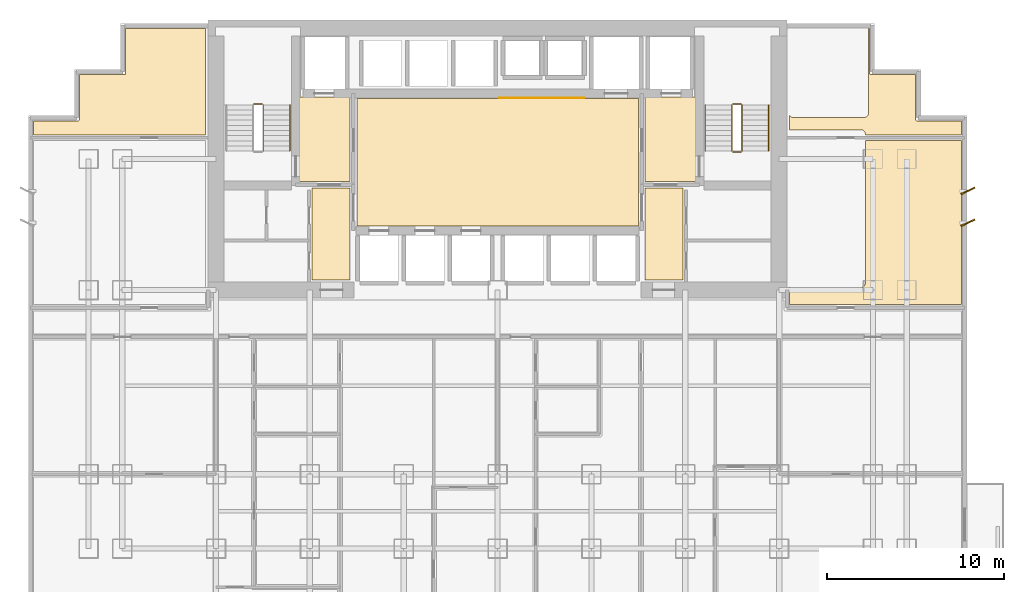
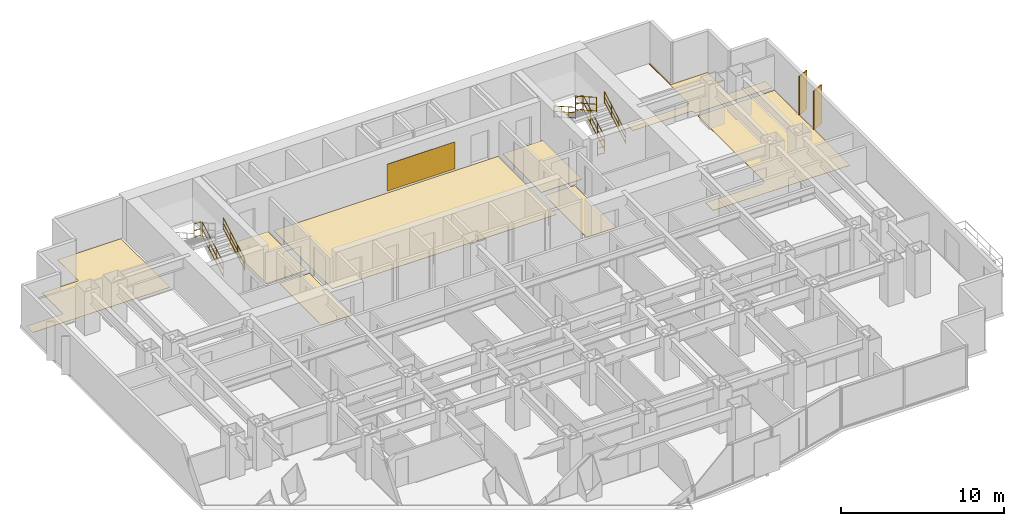
# One storey, part 10 of 10: 9 coverings, 9 railings, 2 shading devices.
"""IFC4 building model written with IfcOpenShell, lengths in metres."""

from ifc_helpers import new_model, si_unit, direction, frame, origin, origin_2d, place, context, subcontext, project, spatial, polyline, rectangle, circle, outline, extrude, source, transform, mapped, material, layer, layer_set, type_object, element, save


model = new_model("IFC4")

# Units and contexts
model_context = context("Model", 3, precision=1e-05, world=origin(), true_north=direction((0.0, 1.0)))
body_context = subcontext(model_context, "Body", "Model", "MODEL_VIEW")
ifc_project = project(units=[si_unit("LENGTHUNIT", "METRE"), si_unit("AREAUNIT", "SQUARE_METRE"), si_unit("VOLUMEUNIT", "CUBIC_METRE"), si_unit("PLANEANGLEUNIT", "RADIAN"), si_unit("MASSUNIT", "GRAM", prefix="KILO")], contexts=[model_context])

# Site, building, storey
site_placement = place(None, origin())
site = spatial("IfcSite", under=ifc_project, at=site_placement, CompositionType="ELEMENT")
building_placement = place(site_placement, origin())
building = spatial("IfcBuilding", under=site, at=building_placement, Name="Qianlan Lanfeng Residences", CompositionType="ELEMENT")
storey_placement = place(building_placement, frame((0.0, 0.0, 50.60009765625)))
storey = spatial("IfcBuildingStorey", under=building, at=storey_placement, Name="L13", CompositionType="ELEMENT", Elevation=50.60009765625)

# Coverings
ifc_material_1 = material(Name="Anodised Bronze Feature Wall Cladding")
ifc_layer_1 = layer(ifc_material_1, 0.02490234375)
ifc_layer_set_1 = layer_set([ifc_layer_1], Name="Anodised Bronze Feature Wall Cladding")
covering_type_1 = type_object("IfcCoveringType", Name="CLD-BRZ-25", PredefinedType="CLADDING", material=ifc_layer_set_1)
covering_1_placement = place(storey_placement, frame((0.0, 0.0, 0.14990234375)))
element("IfcCovering", 1, at=covering_1_placement, inside=storey, type_object=covering_type_1, Name="L13 Lift Lobby Bronze Feature Cladding", PredefinedType="CLADDING", context=body_context, shape_type="SweptSolid", body=[
    extrude(outline(polyline([(26.60009765625, 36.02490234375), (31.39990234375, 36.02490234375), (31.39990234375, 36.050048828125), (26.60009765625, 36.050048828125), (26.60009765625, 36.02490234375)])), origin(), (0.0, 0.0, 1.0), 2.02001953125),
])
ifc_material_2 = material(Name="Honed Taitung Granite Stone Flooring", Category="masonry")
ifc_layer_2 = layer(ifc_material_2, 0.030029296875)
ifc_layer_set_2 = layer_set([ifc_layer_2], Name="Honed Taitung Granite Stone Flooring")
covering_type_2 = type_object("IfcCoveringType", Name="FLR-STN-30", PredefinedType="FLOORING", material=ifc_layer_set_2)
covering_2_placement = place(storey_placement, origin())
element("IfcCovering", 2, at=covering_2_placement, inside=storey, type_object=covering_type_2, Name="L13 Firefighting Lift Lobby Floor Finish", PredefinedType="FLOORING", context=body_context, shape_type="SweptSolid", body=[
    extrude(outline(polyline([(15.2900390625, 31.320068359375), (18.179931640625, 31.320068359375), (18.179931640625, 36.110107421875), (15.2900390625, 36.110107421875), (15.2900390625, 31.320068359375)])), origin(), (0.0, 0.0, 1.0), 0.02978515625),
])
covering_3_placement = place(storey_placement, origin())
element("IfcCovering", 3, at=covering_3_placement, inside=storey, type_object=covering_type_2, Name="L13 Firefighting Lift Lobby Floor Finish", PredefinedType="FLOORING", context=body_context, shape_type="SweptSolid", body=[
    extrude(outline(polyline([(34.820068359375, 31.320068359375), (37.7099609375, 31.320068359375), (37.7099609375, 36.110107421875), (34.820068359375, 36.110107421875), (34.820068359375, 31.320068359375)])), origin(), (0.0, 0.0, 1.0), 0.02978515625),
])
covering_4_placement = place(storey_placement, origin())
element("IfcCovering", 4, at=covering_4_placement, inside=storey, type_object=covering_type_2, Name="L13 Lift Lobby Floor Finish", PredefinedType="FLOORING", context=body_context, shape_type="SweptSolid", body=[
    extrude(outline(polyline([(18.550048828125, 28.820068359375), (34.449951171875, 28.820068359375), (34.449951171875, 36.010009765625), (18.550048828125, 36.010009765625), (18.550048828125, 28.820068359375)])), origin(), (0.0, 0.0, 1.0), 0.02978515625),
])
covering_5_placement = place(storey_placement, origin())
element("IfcCovering", 5, at=covering_5_placement, inside=storey, type_object=covering_type_2, Name="L13 Lift Lobby Floor Finish", PredefinedType="FLOORING", context=body_context, shape_type="SweptSolid", body=[
    extrude(outline(polyline([(16.030029296875, 25.760009765625), (18.169921875, 25.760009765625), (18.169921875, 30.949951171875), (16.030029296875, 30.949951171875), (16.030029296875, 25.760009765625)])), origin(), (0.0, 0.0, 1.0), 0.02978515625),
])
covering_6_placement = place(storey_placement, origin())
element("IfcCovering", 6, at=covering_6_placement, inside=storey, type_object=covering_type_2, Name="L13 Lift Lobby Floor Finish", PredefinedType="FLOORING", context=body_context, shape_type="SweptSolid", body=[
    extrude(outline(polyline([(34.830078125, 25.760009765625), (36.969970703125, 25.760009765625), (36.969970703125, 30.949951171875), (34.830078125, 30.949951171875), (34.830078125, 25.760009765625)])), origin(), (0.0, 0.0, 1.0), 0.02978515625),
])
ifc_material_3 = material(Name="Engineered Smoked Oak Timber Flooring", Category="wood")
ifc_layer_3 = layer(ifc_material_3, 0.02197265625)
ifc_layer_set_3 = layer_set([ifc_layer_3], Name="Engineered Smoked Oak Timber Flooring")
covering_type_3 = type_object("IfcCoveringType", Name="FLR-TIM-22", PredefinedType="FLOORING", material=ifc_layer_set_3)
covering_7_placement = place(storey_placement, origin())
element("IfcCovering", 7, at=covering_7_placement, inside=storey, type_object=covering_type_3, Name="L13 Resident Lounge Floor Finish", PredefinedType="FLOORING", context=body_context, shape_type="SweptSolid", body=[
    extrude(outline(polyline([(0.2900390625, 33.949951171875), (10.0, 33.949951171875), (10.0, 39.9599609375), (5.489990234375, 39.9599609375), (5.489990234375, 37.429931640625), (5.489990234375, 37.423095703125), (5.489013671875, 37.416015625), (5.487060546875, 37.409912109375), (5.485107421875, 37.403076171875), (5.48193359375, 37.39697265625), (5.47802734375, 37.39111328125), (5.47412109375, 37.385986328125), (5.468994140625, 37.381103515625), (5.464111328125, 37.3759765625), (5.458984375, 37.3720703125), (5.452880859375, 37.367919921875), (5.447021484375, 37.364990234375), (5.43994140625, 37.363037109375), (5.43408203125, 37.361083984375), (5.427001953125, 37.360107421875), (5.419921875, 37.360107421875), (2.889892578125, 37.360107421875), (2.889892578125, 34.830078125), (2.889892578125, 34.822998046875), (2.888916015625, 34.81591796875), (2.886962890625, 34.81005859375), (2.885009765625, 34.802978515625), (2.882080078125, 34.797119140625), (2.8779296875, 34.791015625), (2.8740234375, 34.785888671875), (2.868896484375, 34.781005859375), (2.864013671875, 34.77587890625), (2.85888671875, 34.77197265625), (2.85302734375, 34.76806640625), (2.846923828125, 34.764892578125), (2.840087890625, 34.762939453125), (2.833984375, 34.760986328125), (2.826904296875, 34.760009765625), (2.820068359375, 34.760009765625), (0.2900390625, 34.760009765625), (0.2900390625, 33.949951171875)])), origin(), (0.0, 0.0, 1.0), 0.02197265625),
])
covering_8_placement = place(storey_placement, origin())
element("IfcCovering", 8, at=covering_8_placement, inside=storey, type_object=covering_type_3, Name="L13 Piano Salon Floor Finish", PredefinedType="FLOORING", context=body_context, shape_type="SweptSolid", body=[
    extrude(outline(polyline([(52.7099609375, 33.64990234375), (47.27001953125, 33.64990234375), (47.27001953125, 25.60009765625), (47.26904296875, 25.574951171875), (47.264892578125, 25.551025390625), (47.259033203125, 25.527099609375), (47.2509765625, 25.50390625), (47.239990234375, 25.48193359375), (47.22802734375, 25.4609375), (47.212890625, 25.44091796875), (47.197021484375, 25.423095703125), (47.178955078125, 25.406982421875), (47.158935546875, 25.39208984375), (47.137939453125, 25.3798828125), (47.115966796875, 25.368896484375), (47.093017578125, 25.361083984375), (47.069091796875, 25.35498046875), (47.044921875, 25.35107421875), (47.02001953125, 25.35009765625), (43.080078125, 25.35009765625), (43.054931640625, 25.35107421875), (43.031005859375, 25.35498046875), (43.007080078125, 25.361083984375), (43.0, 25.363037109375), (43.0, 24.3798828125), (52.7099609375, 24.3798828125), (52.7099609375, 33.64990234375)])), origin(), (0.0, 0.0, 1.0), 0.02197265625),
])
covering_9_placement = place(storey_placement, origin())
element("IfcCovering", 9, at=covering_9_placement, inside=storey, type_object=covering_type_3, Name="L13 Resident Lounge Floor Finish", PredefinedType="FLOORING", context=body_context, shape_type="SweptSolid", body=[
    extrude(outline(polyline([(43.0, 34.237060546875), (43.007080078125, 34.239013671875), (43.031005859375, 34.2451171875), (43.054931640625, 34.2490234375), (43.080078125, 34.25), (47.02001953125, 34.25), (47.044921875, 34.2490234375), (47.069091796875, 34.2451171875), (47.093017578125, 34.239013671875), (47.115966796875, 34.23095703125), (47.137939453125, 34.219970703125), (47.158935546875, 34.2080078125), (47.178955078125, 34.193115234375), (47.197021484375, 34.177001953125), (47.212890625, 34.158935546875), (47.22802734375, 34.138916015625), (47.239990234375, 34.117919921875), (47.2509765625, 34.095947265625), (47.259033203125, 34.072998046875), (47.264892578125, 34.049072265625), (47.26904296875, 34.02490234375), (47.27001953125, 34.0), (47.27001953125, 33.949951171875), (52.7099609375, 33.949951171875), (52.7099609375, 34.760009765625), (50.179931640625, 34.760009765625), (50.173095703125, 34.760009765625), (50.166015625, 34.760986328125), (50.159912109375, 34.762939453125), (50.153076171875, 34.764892578125), (50.14697265625, 34.76806640625), (50.14111328125, 34.77197265625), (50.135986328125, 34.77587890625), (50.131103515625, 34.781005859375), (50.1259765625, 34.785888671875), (50.1220703125, 34.791015625), (50.117919921875, 34.797119140625), (50.114990234375, 34.802978515625), (50.113037109375, 34.81005859375), (50.111083984375, 34.81591796875), (50.110107421875, 34.822998046875), (50.110107421875, 34.830078125), (50.110107421875, 37.360107421875), (47.580078125, 37.360107421875), (47.572998046875, 37.360107421875), (47.56591796875, 37.361083984375), (47.56005859375, 37.363037109375), (47.552978515625, 37.364990234375), (47.547119140625, 37.367919921875), (47.541015625, 37.3720703125), (47.535888671875, 37.3759765625), (47.531005859375, 37.381103515625), (47.52587890625, 37.385986328125), (47.52197265625, 37.39111328125), (47.51806640625, 37.39697265625), (47.514892578125, 37.403076171875), (47.512939453125, 37.409912109375), (47.510986328125, 37.416015625), (47.510009765625, 37.423095703125), (47.510009765625, 37.429931640625), (47.510009765625, 39.9599609375), (47.449951171875, 39.9599609375), (47.449951171875, 35.199951171875), (47.448974609375, 35.175048828125), (47.445068359375, 35.15087890625), (47.43896484375, 35.126953125), (47.430908203125, 35.10400390625), (47.419921875, 35.08203125), (47.407958984375, 35.06103515625), (47.39306640625, 35.041015625), (47.376953125, 35.02294921875), (47.35888671875, 35.007080078125), (47.339111328125, 34.991943359375), (47.318115234375, 34.97998046875), (47.2958984375, 34.968994140625), (47.27294921875, 34.9609375), (47.2490234375, 34.955078125), (47.22509765625, 34.950927734375), (47.199951171875, 34.949951171875), (43.199951171875, 34.949951171875), (43.175048828125, 34.950927734375), (43.15087890625, 34.955078125), (43.126953125, 34.9609375), (43.10400390625, 34.968994140625), (43.08203125, 34.97998046875), (43.06103515625, 34.991943359375), (43.041015625, 35.007080078125), (43.02294921875, 35.02294921875), (43.007080078125, 35.041015625), (43.0, 35.050048828125), (43.0, 34.237060546875)])), origin(), (0.0, 0.0, 1.0), 0.02197265625),
])

# Railings
ifc_material_4 = material(Name="Painted Galvanised Steel Guardrail", Category="steel")
railing_type_1 = type_object("IfcRailingType", Name="GR-ST-1120", PredefinedType="GUARDRAIL", material=ifc_material_4)
railing_1_placement = place(storey_placement, frame((13.27001953125, 33.050048828125, 0.164794921875)))
element("IfcRailing", 10, at=railing_1_placement, inside=storey, type_object=railing_type_1, Name="L13 ST-1 stair guard 1", PredefinedType="GUARDRAIL", context=body_context, shape_type="SweptSolid", body=[
    extrude(circle(Radius=0.02392578125, at=origin_2d()), frame((0.0, 0.0, 0.083984375), z_axis=(0.0, 0.869137319866, 0.494570843475), x_axis=(-1.0, 0.0, 0.0)), (0.0, 0.0, 1.0), 3.0029296875),
    extrude(circle(Radius=0.02392578125, at=origin_2d()), frame((0.0, 0.0, 0.58251953125), z_axis=(0.0, 0.869137319866, 0.494570843475), x_axis=(-1.0, 0.0, 0.0)), (0.0, 0.0, 1.0), 3.0029296875),
    extrude(circle(Radius=0.02392578125, at=origin_2d()), frame((0.0, 0.0, 1.09619140625), z_axis=(0.0, 0.869137319866, 0.494570843475), x_axis=(-1.0, 0.0, 0.0)), (0.0, 0.0, 1.0), 3.0029296875),
    extrude(circle(Radius=0.02099609375, at=origin_2d()), origin(), (0.0, 0.0, 1.0), 1.072021484375),
    extrude(circle(Radius=0.02099609375, at=origin_2d()), frame((0.0, 0.869873046875, 0.4951171875)), (0.0, 0.0, 1.0), 1.072021484375),
    extrude(circle(Radius=0.02099609375, at=origin_2d()), frame((0.0, 1.739990234375, 0.989990234375)), (0.0, 0.0, 1.0), 1.072021484375),
    extrude(circle(Radius=0.02099609375, at=origin_2d()), frame((0.0, 2.60986328125, 1.485107421875)), (0.0, 0.0, 1.0), 1.072021484375),
])
railing_2_placement = place(storey_placement, frame((13.219970703125, 35.7099609375, 1.64990234375)))
element("IfcRailing", 11, at=railing_2_placement, inside=storey, type_object=railing_type_1, Name="L13 ST-1 stair guard 2", PredefinedType="GUARDRAIL", context=body_context, shape_type="SweptSolid", body=[
    extrude(circle(Radius=0.02392578125, at=origin_2d()), frame((0.0, 0.0, 0.083984375), z_axis=(-1.0, 0.0, 0.0), x_axis=(0.0, -1.0, 0.0)), (0.0, 0.0, 1.0), 0.47998046875),
    extrude(circle(Radius=0.02392578125, at=origin_2d()), frame((0.0, 0.0, 0.58251953125), z_axis=(-1.0, 0.0, 0.0), x_axis=(0.0, -1.0, 0.0)), (0.0, 0.0, 1.0), 0.47998046875),
    extrude(circle(Radius=0.02392578125, at=origin_2d()), frame((0.0, 0.0, 1.09619140625), z_axis=(-1.0, 0.0, 0.0), x_axis=(0.0, -1.0, 0.0)), (0.0, 0.0, 1.0), 0.47998046875),
    extrude(circle(Radius=0.02099609375, at=origin_2d()), origin(), (0.0, 0.0, 1.0), 1.072021484375),
    extrude(circle(Radius=0.02099609375, at=origin_2d()), frame((-0.47998046875, 0.0, 0.0)), (0.0, 0.0, 1.0), 1.072021484375),
])
railing_3_placement = place(storey_placement, frame((40.31005859375, 33.050048828125, 0.164794921875)))
element("IfcRailing", 12, at=railing_3_placement, inside=storey, type_object=railing_type_1, Name="L13 ST-2 stair guard 1", PredefinedType="GUARDRAIL", context=body_context, shape_type="SweptSolid", body=[
    extrude(circle(Radius=0.02392578125, at=origin_2d()), frame((0.0, 0.0, 0.083984375), z_axis=(0.0, 0.869137319866, 0.494570843475), x_axis=(-1.0, 0.0, 0.0)), (0.0, 0.0, 1.0), 3.0029296875),
    extrude(circle(Radius=0.02392578125, at=origin_2d()), frame((0.0, 0.0, 0.58251953125), z_axis=(0.0, 0.869137319866, 0.494570843475), x_axis=(-1.0, 0.0, 0.0)), (0.0, 0.0, 1.0), 3.0029296875),
    extrude(circle(Radius=0.02392578125, at=origin_2d()), frame((0.0, 0.0, 1.09619140625), z_axis=(0.0, 0.869137319866, 0.494570843475), x_axis=(-1.0, 0.0, 0.0)), (0.0, 0.0, 1.0), 3.0029296875),
    extrude(circle(Radius=0.02099609375, at=origin_2d()), origin(), (0.0, 0.0, 1.0), 1.072021484375),
    extrude(circle(Radius=0.02099609375, at=origin_2d()), frame((0.0, 0.869873046875, 0.4951171875)), (0.0, 0.0, 1.0), 1.072021484375),
    extrude(circle(Radius=0.02099609375, at=origin_2d()), frame((0.0, 1.739990234375, 0.989990234375)), (0.0, 0.0, 1.0), 1.072021484375),
    extrude(circle(Radius=0.02099609375, at=origin_2d()), frame((0.0, 2.60986328125, 1.485107421875)), (0.0, 0.0, 1.0), 1.072021484375),
])
railing_4_placement = place(storey_placement, frame((40.260009765625, 35.7099609375, 1.64990234375)))
element("IfcRailing", 13, at=railing_4_placement, inside=storey, type_object=railing_type_1, Name="L13 ST-2 stair guard 2", PredefinedType="GUARDRAIL", context=body_context, shape_type="SweptSolid", body=[
    extrude(circle(Radius=0.02392578125, at=origin_2d()), frame((0.0, 0.0, 0.083984375), z_axis=(-1.0, 0.0, 0.0), x_axis=(0.0, -1.0, 0.0)), (0.0, 0.0, 1.0), 0.47998046875),
    extrude(circle(Radius=0.02392578125, at=origin_2d()), frame((0.0, 0.0, 0.58251953125), z_axis=(-1.0, 0.0, 0.0), x_axis=(0.0, -1.0, 0.0)), (0.0, 0.0, 1.0), 0.47998046875),
    extrude(circle(Radius=0.02392578125, at=origin_2d()), frame((0.0, 0.0, 1.09619140625), z_axis=(-1.0, 0.0, 0.0), x_axis=(0.0, -1.0, 0.0)), (0.0, 0.0, 1.0), 0.47998046875),
    extrude(circle(Radius=0.02099609375, at=origin_2d()), origin(), (0.0, 0.0, 1.0), 1.072021484375),
    extrude(circle(Radius=0.02099609375, at=origin_2d()), frame((-0.47998046875, 0.0, 0.0)), (0.0, 0.0, 1.0), 1.072021484375),
])
railing_5_placement = place(storey_placement, frame((39.72998046875, 35.659912109375, 1.81494140625)))
element("IfcRailing", 14, at=railing_5_placement, inside=storey, type_object=railing_type_1, Name="L13 ST-2 stair guard 3", PredefinedType="GUARDRAIL", context=body_context, shape_type="SweptSolid", body=[
    extrude(circle(Radius=0.02392578125, at=origin_2d()), frame((0.0, 0.0, 0.083984375), z_axis=(0.0, -0.869172267526, 0.494509422927), x_axis=(1.0, 0.0, 0.0)), (0.0, 0.0, 1.0), 3.002685546875),
    extrude(circle(Radius=0.02392578125, at=origin_2d()), frame((0.0, 0.0, 0.58251953125), z_axis=(0.0, -0.869172267526, 0.494509422927), x_axis=(1.0, 0.0, 0.0)), (0.0, 0.0, 1.0), 3.002685546875),
    extrude(circle(Radius=0.02392578125, at=origin_2d()), frame((0.0, 0.0, 1.09619140625), z_axis=(0.0, -0.869172267526, 0.494509422927), x_axis=(1.0, 0.0, 0.0)), (0.0, 0.0, 1.0), 3.002685546875),
    extrude(circle(Radius=0.02099609375, at=origin_2d()), origin(), (0.0, 0.0, 1.0), 1.072021484375),
    extrude(circle(Radius=0.02099609375, at=origin_2d()), frame((0.0, -0.869873046875, 0.494873046875)), (0.0, 0.0, 1.0), 1.072021484375),
    extrude(circle(Radius=0.02099609375, at=origin_2d()), frame((0.0, -1.739990234375, 0.989990234375)), (0.0, 0.0, 1.0), 1.072021484375),
    extrude(circle(Radius=0.02099609375, at=origin_2d()), frame((0.0, -2.60986328125, 1.48486328125)), (0.0, 0.0, 1.0), 1.072021484375),
])
railing_6_placement = place(storey_placement, frame((40.260009765625, 33.0, 0.0)))
element("IfcRailing", 15, at=railing_6_placement, inside=storey, type_object=railing_type_1, Name="L13 ST-2 stair guard 4", PredefinedType="GUARDRAIL", context=body_context, shape_type="SweptSolid", body=[
    extrude(circle(Radius=0.02392578125, at=origin_2d()), frame((0.0, 0.0, 0.083984375), z_axis=(-1.0, 0.0, 0.0), x_axis=(0.0, -1.0, 0.0)), (0.0, 0.0, 1.0), 0.47998046875),
    extrude(circle(Radius=0.02392578125, at=origin_2d()), frame((0.0, 0.0, 0.58251953125), z_axis=(-1.0, 0.0, 0.0), x_axis=(0.0, -1.0, 0.0)), (0.0, 0.0, 1.0), 0.47998046875),
    extrude(circle(Radius=0.02392578125, at=origin_2d()), frame((0.0, 0.0, 1.09619140625), z_axis=(-1.0, 0.0, 0.0), x_axis=(0.0, -1.0, 0.0)), (0.0, 0.0, 1.0), 0.47998046875),
    extrude(circle(Radius=0.02099609375, at=origin_2d()), origin(), (0.0, 0.0, 1.0), 1.072021484375),
    extrude(circle(Radius=0.02099609375, at=origin_2d()), frame((-0.47998046875, 0.0, 0.0)), (0.0, 0.0, 1.0), 1.072021484375),
])
ifc_material_5 = material(Name="Brushed Stainless Steel Handrail", Category="steel")
railing_type_2 = type_object("IfcRailingType", Name="HR-ST-920", PredefinedType="HANDRAIL", material=ifc_material_5)
for number, where, name in (
    (16, (14.77001953125, 33.050048828125, 0.164794921875), "L13 ST-1 stair handrail 1"),
    (17, (41.81005859375, 33.050048828125, 0.164794921875), "L13 ST-2 stair handrail 1"),
):
    element("IfcRailing", number, at=place(storey_placement, frame(where)), inside=storey, type_object=railing_type_2, Name=name, PredefinedType="HANDRAIL", context=body_context, shape_type="SweptSolid", body=[
        extrude(circle(Radius=0.02392578125, at=origin_2d()), frame((0.0, 0.0, 0.083984375), z_axis=(0.0, 0.869137319866, 0.494570843475), x_axis=(-1.0, 0.0, 0.0)), (0.0, 0.0, 1.0), 3.0029296875),
        extrude(circle(Radius=0.02392578125, at=origin_2d()), frame((0.0, 0.0, 0.468017578125), z_axis=(0.0, 0.869137319866, 0.494570843475), x_axis=(-1.0, 0.0, 0.0)), (0.0, 0.0, 1.0), 3.0029296875),
        extrude(circle(Radius=0.02392578125, at=origin_2d()), frame((0.0, 0.0, 0.8759765625), z_axis=(0.0, 0.869137319866, 0.494570843475), x_axis=(-1.0, 0.0, 0.0)), (0.0, 0.0, 1.0), 3.0029296875),
        extrude(circle(Radius=0.02099609375, at=origin_2d()), origin(), (0.0, 0.0, 1.0), 0.851806640625),
        extrude(circle(Radius=0.02099609375, at=origin_2d()), frame((0.0, 0.869873046875, 0.4951171875)), (0.0, 0.0, 1.0), 0.851806640625),
        extrude(circle(Radius=0.02099609375, at=origin_2d()), frame((0.0, 1.739990234375, 0.989990234375)), (0.0, 0.0, 1.0), 0.851806640625),
        extrude(circle(Radius=0.02099609375, at=origin_2d()), frame((0.0, 2.60986328125, 1.485107421875)), (0.0, 0.0, 1.0), 0.851806640625),
    ])
railing_7_placement = place(storey_placement, frame((38.22998046875, 35.659912109375, 1.81494140625)))
element("IfcRailing", 18, at=railing_7_placement, inside=storey, type_object=railing_type_2, Name="L13 ST-2 stair handrail 2", PredefinedType="HANDRAIL", context=body_context, shape_type="SweptSolid", body=[
    extrude(circle(Radius=0.02392578125, at=origin_2d()), frame((0.0, 0.0, 0.083984375), z_axis=(0.0, -0.869172267526, 0.494509422927), x_axis=(1.0, 0.0, 0.0)), (0.0, 0.0, 1.0), 3.002685546875),
    extrude(circle(Radius=0.02392578125, at=origin_2d()), frame((0.0, 0.0, 0.468017578125), z_axis=(0.0, -0.869172267526, 0.494509422927), x_axis=(1.0, 0.0, 0.0)), (0.0, 0.0, 1.0), 3.002685546875),
    extrude(circle(Radius=0.02392578125, at=origin_2d()), frame((0.0, 0.0, 0.8759765625), z_axis=(0.0, -0.869172267526, 0.494509422927), x_axis=(1.0, 0.0, 0.0)), (0.0, 0.0, 1.0), 3.002685546875),
    extrude(circle(Radius=0.02099609375, at=origin_2d()), origin(), (0.0, 0.0, 1.0), 0.851806640625),
    extrude(circle(Radius=0.02099609375, at=origin_2d()), frame((0.0, -0.869873046875, 0.494873046875)), (0.0, 0.0, 1.0), 0.851806640625),
    extrude(circle(Radius=0.02099609375, at=origin_2d()), frame((0.0, -1.739990234375, 0.989990234375)), (0.0, 0.0, 1.0), 0.851806640625),
    extrude(circle(Radius=0.02099609375, at=origin_2d()), frame((0.0, -2.60986328125, 1.48486328125)), (0.0, 0.0, 1.0), 0.851806640625),
])

# Shading devices
ifc_material_6 = material(Name="Anodised Bronze Aluminium Solar Fin", Category="aluminium")
shading_device_type = type_object("IfcShadingDeviceType", Name="FIN-BRZ-850", PredefinedType="SHUTTER", material=ifc_material_6)
shared_shape = source(origin(), body_context, "Body", "SweptSolid", [
    extrude(rectangle(XDim=0.85009765625, YDim=0.080078125, at=origin_2d()), origin(), (0.0, 0.0, 1.0), 2.89990234375),
])
for number, where, z_axis, x_axis, name in (
    (19, (53.070068359375, 29.0, 0.0), (0.0, 0.0, 1.0), (0.898794046299, 0.438371146789, 0.0), "L13 Raked Bronze Solar Fin E1"),
    (20, (53.070068359375, 30.800048828125, 0.0), (0.0, 0.0, 1.0), (0.898794046299, 0.438371146789, 0.0), "L13 Raked Bronze Solar Fin E2"),
):
    element("IfcShadingDevice", number, at=place(storey_placement, frame(where, z_axis=z_axis, x_axis=x_axis)), inside=storey, type_object=shading_device_type, Name=name, PredefinedType="SHUTTER", context=body_context, shape_type="MappedRepresentation", body=[
        mapped(shared_shape, transform((0.0, 0.0, 0.0), scale=1.0)),
    ])

save(model, "model.ifc")
